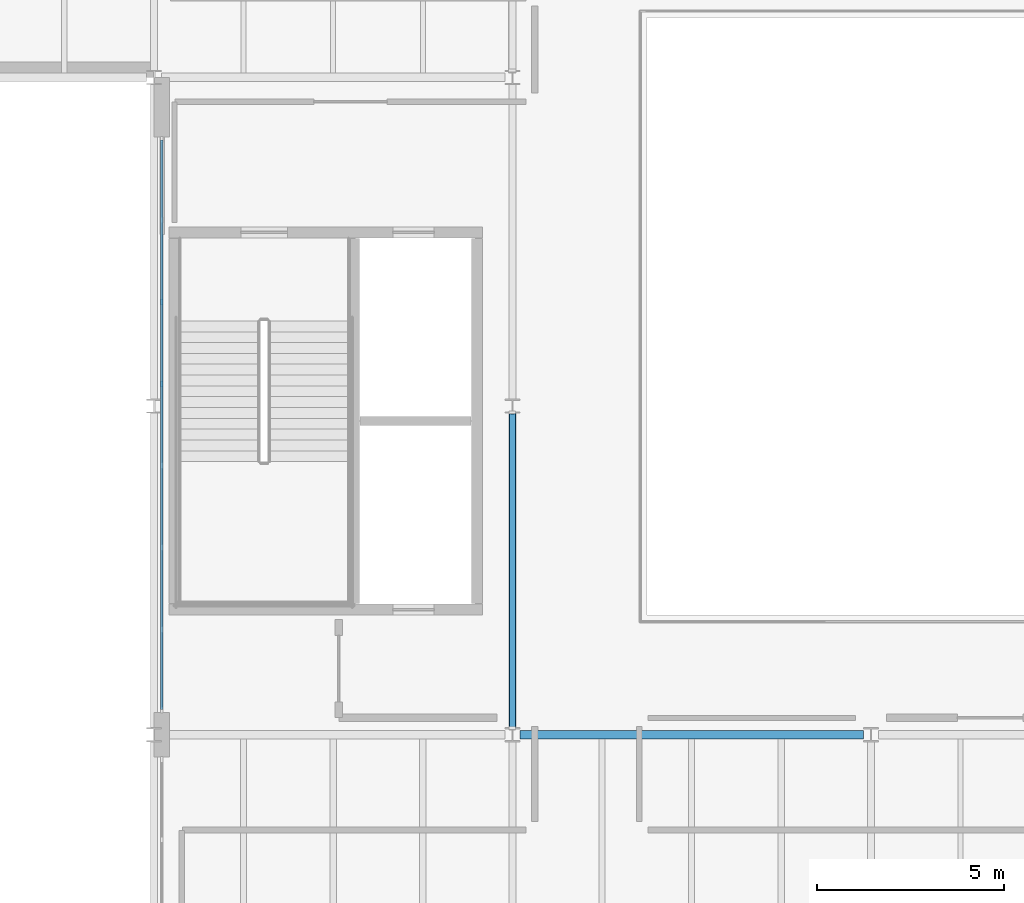
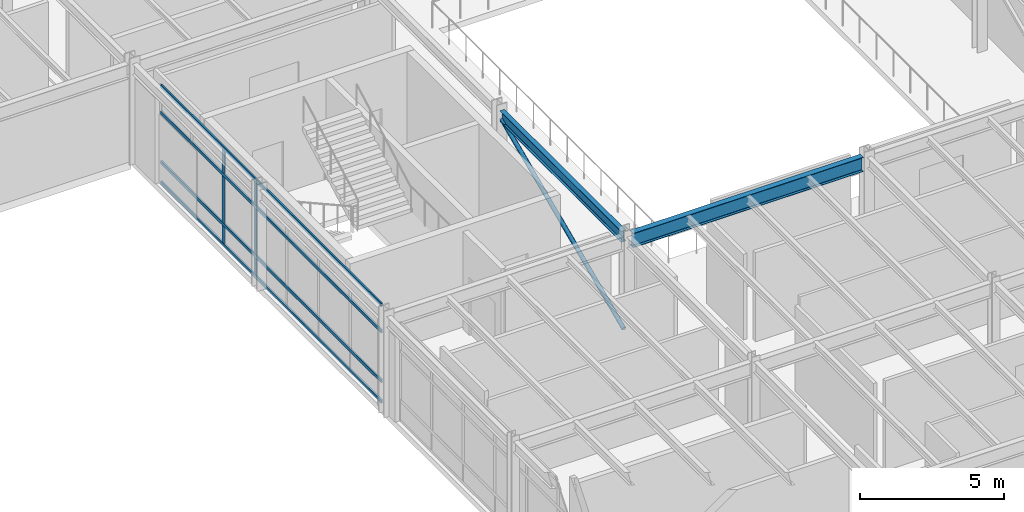
# One storey, part 26 of 88: 7 members, 2 beams, 1 element without a shape of its own.
"""IFC4 building model written with IfcOpenShell, lengths in metres."""

import ifcopenshell
import ifcopenshell.guid

model = None  # the IFC model being written
_history = None  # IfcOwnerHistory: only IFC2X3 demands one
_inside = {}  # id of a spatial element -> (the spatial element, [elements in it])
_under = {}  # id of a project, library or spatial element -> (it, [spatial elements below it])
_declared = {}  # id of a project -> (the project, [libraries it declares])
_typed = {}  # id of a type object -> (the type object, [elements of that type])
_made_of = {}  # id of a material, layer set ... -> (it, [elements and type objects made of it])


def new_model(schema):
    """Start an empty IFC model of exactly this schema.

    Asked for "IFC4X3", IfcOpenShell would pick the latest addendum, in which some entities
    have other attributes; the version numbers below select the first issue.
    IFC2X3 requires an IfcOwnerHistory on every rooted entity: one is made here for all.
    """
    global model, _history
    if schema == "IFC4X3":
        model = ifcopenshell.file(schema_version=(4, 3, 0, 0))
    else:
        model = ifcopenshell.file(schema=schema)
    _inside.clear()
    _under.clear()
    _declared.clear()
    _typed.clear()
    _made_of.clear()
    _history = None
    if model.schema == "IFC2X3":
        org = make("IfcOrganization", Name="unknown")
        user = make(
            "IfcPersonAndOrganization",
            ThePerson=make("IfcPerson", FamilyName="unknown"),
            TheOrganization=org,
        )
        app = make(
            "IfcApplication",
            ApplicationDeveloper=org,
            Version="unknown",
            ApplicationFullName="unknown",
            ApplicationIdentifier="unknown",
        )
        _history = make(
            "IfcOwnerHistory",
            OwningUser=user,
            OwningApplication=app,
            ChangeAction="ADDED",
            CreationDate=0,
        )
    return model


def make(cls, **values):
    """One entity of the class cls with the attributes given. An attribute that is None is left unset."""
    return model.create_entity(
        cls, **{name: value for name, value in values.items() if value is not None}
    )


def rooted(cls, **values):
    """An entity with a GlobalId (a new one), such as an element, a storey or a relation."""
    return make(cls, GlobalId=ifcopenshell.guid.new(), OwnerHistory=_history, **values)


def si_unit(unit_type, name, prefix=None):
    """IfcSIUnit, for example si_unit("LENGTHUNIT", "METRE", prefix="MILLI")."""
    return make("IfcSIUnit", UnitType=unit_type, Prefix=prefix, Name=name)


def assignment(units):
    """IfcUnitAssignment: the units of a project."""
    return None if units is None else make("IfcUnitAssignment", Units=units)


def point(xyz):
    """IfcCartesianPoint."""
    return None if xyz is None else make("IfcCartesianPoint", Coordinates=xyz)


def direction(xyz):
    """IfcDirection."""
    return None if xyz is None else make("IfcDirection", DirectionRatios=xyz)


def frame(location, z_axis=None, x_axis=None):
    """IfcAxis2Placement3D, a coordinate frame: its origin and axes. An axis left out is left unset."""
    return make(
        "IfcAxis2Placement3D",
        Location=point(location),
        Axis=direction(z_axis),
        RefDirection=direction(x_axis),
    )


def frame_2d(location, x_axis=None):
    """IfcAxis2Placement2D, a coordinate frame in the plane: its origin and x axis."""
    return make(
        "IfcAxis2Placement2D", Location=point(location), RefDirection=direction(x_axis)
    )


def origin():
    """The frame at (0, 0, 0) with its axes left unset."""
    return frame((0.0, 0.0, 0.0))


def origin_2d():
    """The frame at (0, 0) in the plane with its x axis left unset."""
    return frame_2d((0.0, 0.0))


def place(relative_to, where):
    """IfcLocalPlacement: puts the frame where relative to a parent placement (None: the world)."""
    return make(
        "IfcLocalPlacement", PlacementRelTo=relative_to, RelativePlacement=where
    )


def context(
    kind, dimensions, precision=None, world=None, true_north=None, identifier=None
):
    """IfcGeometricRepresentationContext, for example the 3D "Model" context."""
    return make(
        "IfcGeometricRepresentationContext",
        ContextIdentifier=identifier,
        ContextType=kind,
        CoordinateSpaceDimension=dimensions,
        Precision=precision,
        WorldCoordinateSystem=world,
        TrueNorth=true_north,
    )


def subcontext(parent, identifier, kind, view, scale=None):
    """IfcGeometricRepresentationSubContext, for example "Body" below "Model"."""
    return make(
        "IfcGeometricRepresentationSubContext",
        ContextIdentifier=identifier,
        ContextType=kind,
        ParentContext=parent,
        TargetScale=scale,
        TargetView=view,
    )


def project(units=None, contexts=None):
    """IfcProject with its units and contexts."""
    return rooted(
        "IfcProject",
        Name="project",
        RepresentationContexts=contexts,
        UnitsInContext=assignment(units),
    )


def spatial(cls, under=None, at=None, **own):
    """A site, building, storey or space (cls), placed at a placement, below another one or the project."""
    s = rooted(cls, ObjectPlacement=at, **own)
    if under is not None:
        _under.setdefault(under.id(), (under, []))[1].append(s)
    return s


def profile(cls, at=None, kind="AREA", **sizes):
    """A parametric profile (cls). Its sizes go by their IFC names, for example OverallWidth=200.0."""
    return make(cls, ProfileType=kind, Position=at, **sizes)


def rectangle(**sizes):
    """IfcRectangleProfileDef."""
    return profile("IfcRectangleProfileDef", **sizes)


def hollow_circle(**sizes):
    """IfcCircleHollowProfileDef."""
    return profile("IfcCircleHollowProfileDef", **sizes)


def i_section(**sizes):
    """IfcIShapeProfileDef."""
    return profile("IfcIShapeProfileDef", **sizes)


def extrude(swept, where, along, depth):
    """IfcExtrudedAreaSolid: the profile swept, set in the frame where, extruded along a direction by depth."""
    return make(
        "IfcExtrudedAreaSolid",
        SweptArea=swept,
        Position=where,
        ExtrudedDirection=direction(along),
        Depth=depth,
    )


def shape(context_of_items, identifier, shape_type, items):
    """IfcShapeRepresentation: the items that make up one representation, for example the "Body"."""
    return make(
        "IfcShapeRepresentation",
        ContextOfItems=context_of_items,
        RepresentationIdentifier=identifier,
        RepresentationType=shape_type,
        Items=items,
    )


def material(Name=None, Category=None):
    """IfcMaterial."""
    return make("IfcMaterial", Name=Name, Category=Category)


def material_profile(
    of_material, cross_section, Name=None, Category=None, Priority=None
):
    """IfcMaterialProfile: a cross section and its material."""
    return make(
        "IfcMaterialProfile",
        Name=Name,
        Material=of_material,
        Profile=cross_section,
        Priority=Priority,
        Category=Category,
    )


def profile_set(profiles, Name=None, composite=None):
    """IfcMaterialProfileSet."""
    return make(
        "IfcMaterialProfileSet",
        Name=Name,
        MaterialProfiles=profiles,
        CompositeProfile=composite,
    )


def made_of(thing, what):
    """Note that an element or type object is made of a material, layer set ...; save() writes the relation."""
    if what is not None:
        _made_of.setdefault(what.id(), (what, []))[1].append(thing)
    return thing


def type_object(cls, material=None, **own):
    """A type object (cls), such as IfcWallType, which elements share."""
    return made_of(rooted(cls, **own), material)


def element(
    cls,
    number,
    at=None,
    inside=None,
    cuts=None,
    type_object=None,
    material=None,
    context=None,
    identifier="Body",
    shape_type=None,
    held_by="IfcProductDefinitionShape",
    body=None,
    shapes=None,
    **own,
):
    """One element of the class cls, such as IfcWall. Its Tag is "e" and its number.

    at: its placement. inside: the storey or other place that contains it. cuts: it is an
    opening in that element (IfcRelVoidsElement). A single representation is given by context,
    identifier, shape_type and body (its items); several are given by shapes. held_by: the class
    of the entity that holds the representations. save() writes the other relations.
    """
    e = rooted(cls, Tag="e%d" % number, ObjectPlacement=at, **own)
    if body is not None:
        shapes = [shape(context, identifier, shape_type, body)]
    if shapes is not None:
        e.Representation = make(held_by, Representations=shapes)
    if inside is not None:
        _inside.setdefault(inside.id(), (inside, []))[1].append(e)
    if cuts is not None:
        rooted(
            "IfcRelVoidsElement", RelatingBuildingElement=cuts, RelatedOpeningElement=e
        )
    if type_object is not None:
        _typed.setdefault(type_object.id(), (type_object, []))[1].append(e)
    return made_of(e, material)


def aggregate(whole, parts):
    """IfcRelAggregates: a whole, such as a stair, and the parts it consists of."""
    return rooted("IfcRelAggregates", RelatingObject=whole, RelatedObjects=parts)


def save(model, path):
    """Write the relations noted so far, then the file.

    IfcRelAggregates (storeys below a building ...), IfcRelContainedInSpatialStructure (elements
    in a storey), IfcRelDefinesByType, IfcRelAssociatesMaterial and IfcRelDeclares: one each for
    every whole, place, type object, material and project.
    """
    for whole, parts in _under.values():
        aggregate(whole, parts)
    for where, things in _inside.values():
        rooted(
            "IfcRelContainedInSpatialStructure",
            RelatedElements=things,
            RelatingStructure=where,
        )
    for kind, things in _typed.values():
        rooted("IfcRelDefinesByType", RelatedObjects=things, RelatingType=kind)
    for what, things in _made_of.values():
        rooted("IfcRelAssociatesMaterial", RelatedObjects=things, RelatingMaterial=what)
    for by, libraries in _declared.values():
        rooted("IfcRelDeclares", RelatingContext=by, RelatedDefinitions=libraries)
    model.write(path)


model = new_model("IFC4")

# Units and contexts
model_context = context("Model", 3, precision=1e-05, world=origin(), true_north=direction((0.0, 1.0)))
body_context = subcontext(model_context, "Body", "Model", "MODEL_VIEW")
ifc_project = project(units=[si_unit("LENGTHUNIT", "METRE"), si_unit("AREAUNIT", "SQUARE_METRE"), si_unit("VOLUMEUNIT", "CUBIC_METRE"), si_unit("PLANEANGLEUNIT", "RADIAN"), si_unit("MASSUNIT", "GRAM", prefix="KILO")], contexts=[model_context])

# Site, building, storey
site_placement = place(None, origin())
site = spatial("IfcSite", under=ifc_project, at=site_placement, CompositionType="ELEMENT")
building_placement = place(site_placement, origin())
building = spatial("IfcBuilding", under=site, at=building_placement, Name="Sarnbrook Museum", CompositionType="ELEMENT")
storey_placement = place(building_placement, frame((0.0, 0.0, 10.10009765625)))
storey = spatial("IfcBuildingStorey", under=building, at=storey_placement, Name="L02", CompositionType="ELEMENT", Elevation=10.10009765625)

# Beams
ifc_material_1 = material(Name="Structural Steel Grade 300PLUS (AS/NZS 3679.1, fy = 280 MPa for 17 < t <= 40 mm, 300 MPa for t <= 17 mm)", Category="steel")
ifc_material_profile_1 = material_profile(ifc_material_1, i_section(OverallWidth=0.18994140625, OverallDepth=0.45703125, WebThickness=0.009033203125, FlangeThickness=0.014404296875, FilletRadius=0.011474609375, at=origin_2d()), Name="460UB74.6")
ifc_profile_set_1 = profile_set([ifc_material_profile_1], Name="Structural Steel Grade 300PLUS (AS/NZS 3679.1, fy = 280 MPa for 17 < t <= 40 mm, 300 MPa for t <= 17 mm)")
beam_type_1 = type_object("IfcBeamType", Name="BM-UB460", PredefinedType="BEAM", material=ifc_profile_set_1)
beam_1_placement = place(storey_placement, frame((90.39990234375, 56.990966796875, 4.021484375), z_axis=(0.0, 1.0, 0.0), x_axis=(-1.0, 0.0, 0.0)))
element("IfcBeam", 1, at=beam_1_placement, inside=storey, type_object=beam_type_1, Name="Girder 10:G-H L02", PredefinedType="BEAM", context=body_context, shape_type="SweptSolid", body=[
    extrude(i_section(OverallWidth=0.18994140625, OverallDepth=0.45703125, WebThickness=0.009033203125, FlangeThickness=0.014404296875, FilletRadius=0.011474609375, at=origin_2d()), origin(), (0.0, 0.0, 1.0), 8.41796875),
])
ifc_material_profile_2 = material_profile(ifc_material_1, i_section(OverallWidth=0.22802734375, OverallDepth=0.60693359375, WebThickness=0.01123046875, FlangeThickness=0.017333984375, FilletRadius=0.013916015625, at=origin_2d()), Name="610UB113")
ifc_profile_set_2 = profile_set([ifc_material_profile_2], Name="Structural Steel Grade 300PLUS (AS/NZS 3679.1, fy = 280 MPa for 17 < t <= 40 mm, 300 MPa for t <= 17 mm)")
beam_type_2 = type_object("IfcBeamType", Name="BM-UB610", PredefinedType="BEAM", material=ifc_profile_set_2)
beam_2_placement = place(storey_placement, frame((90.60009765625, 56.800048828125, 3.9462890625), z_axis=(1.0, 0.0, 0.0), x_axis=(0.0, 1.0, 0.0)))
element("IfcBeam", 2, at=beam_2_placement, inside=storey, type_object=beam_type_2, Name="Girder G:10-11 L02", PredefinedType="BEAM", context=body_context, shape_type="SweptSolid", body=[
    extrude(i_section(OverallWidth=0.22802734375, OverallDepth=0.60693359375, WebThickness=0.01123046875, FlangeThickness=0.017333984375, FilletRadius=0.013916015625, at=origin_2d()), origin(), (0.0, 0.0, 1.0), 9.199951171875),
])

# Curtain wall, members
ifc_material_2 = material(Name="Thermally Broken Anodised Aluminium 6063-T6", Category="aluminium")
curtain_wall_type = type_object("IfcCurtainWallType", Name="CurtainWall_GalleryRibbon", PredefinedType="NOTDEFINED", material=ifc_material_2)
curtain_wall_placement = place(storey_placement, origin())
curtain_wall = element("IfcCurtainWall", 3, at=curtain_wall_placement, inside=storey, type_object=curtain_wall_type, Name="Gallery Ribbon Curtain Wall L02-14.1", PredefinedType="NOTDEFINED")
ifc_material_profile_3 = material_profile(ifc_material_2, rectangle(XDim=0.06005859375, YDim=0.159912109375, at=origin_2d()), Name="ALU MULLION 60x160")
ifc_profile_set_3 = profile_set([ifc_material_profile_3], Name="Thermally Broken Anodised Aluminium 6063-T6")
member_type_1 = type_object("IfcMemberType", Name="CW_Mullion_150x65", PredefinedType="MULLION", material=ifc_profile_set_3)
member_1_placement = place(storey_placement, frame((81.010009765625, 68.391357421875, 0.0), z_axis=(0.0, 0.0, 1.0), x_axis=(1.0, 0.0, 0.0)))
member_1 = element("IfcMember", 4, at=member_1_placement, type_object=member_type_1, Name="Gallery Ribbon Curtain Wall L02-14.1 Mullion 3", PredefinedType="MULLION", context=body_context, shape_type="SweptSolid", body=[
    extrude(rectangle(XDim=0.06005859375, YDim=0.159912109375, at=origin_2d()), origin(), (0.0, 0.0, 1.0), 4.159912109375),
])
member_2_placement = place(storey_placement, frame((81.010009765625, 66.197021484375, 0.0), z_axis=(0.0, 0.0, 1.0), x_axis=(1.0, 0.0, 0.0)))
member_2 = element("IfcMember", 5, at=member_2_placement, type_object=member_type_1, Name="Gallery Ribbon Curtain Wall L02-14.1 Mullion 4", PredefinedType="MULLION", context=body_context, shape_type="SweptSolid", body=[
    extrude(rectangle(XDim=0.06005859375, YDim=0.159912109375, at=origin_2d()), origin(), (0.0, 0.0, 1.0), 4.159912109375),
])
ifc_material_profile_4 = material_profile(ifc_material_2, rectangle(XDim=0.06494140625, YDim=0.139892578125, at=origin_2d()), Name="ALU TRANSOM 65x140")
ifc_profile_set_4 = profile_set([ifc_material_profile_4], Name="Thermally Broken Anodised Aluminium 6063-T6")
member_type_2 = type_object("IfcMemberType", Name="CW_Transom_150x65", PredefinedType="USERDEFINED", material=ifc_profile_set_4)
member_3_placement = place(storey_placement, frame((81.010009765625, 72.72998046875, 0.039794921875), z_axis=(0.0, -1.0, 0.0), x_axis=(1.0, 0.0, 0.0)))
member_3 = element("IfcMember", 6, at=member_3_placement, type_object=member_type_2, Name="Gallery Ribbon Curtain Wall L02-14.1 Transom 1", ObjectType="TRANSOM", PredefinedType="USERDEFINED", context=body_context, shape_type="SweptSolid", body=[
    extrude(rectangle(XDim=0.06494140625, YDim=0.139892578125, at=origin_2d()), origin(), (0.0, 0.0, 1.0), 15.260009765625),
])
member_4_placement = place(storey_placement, frame((81.010009765625, 72.72998046875, 0.89990234375), z_axis=(0.0, -1.0, 0.0), x_axis=(1.0, 0.0, 0.0)))
member_4 = element("IfcMember", 7, at=member_4_placement, type_object=member_type_2, Name="Gallery Ribbon Curtain Wall L02-14.1 Transom 2", ObjectType="TRANSOM", PredefinedType="USERDEFINED", context=body_context, shape_type="SweptSolid", body=[
    extrude(rectangle(XDim=0.06494140625, YDim=0.139892578125, at=origin_2d()), origin(), (0.0, 0.0, 1.0), 15.260009765625),
])
member_5_placement = place(storey_placement, frame((81.010009765625, 72.72998046875, 3.0), z_axis=(0.0, -1.0, 0.0), x_axis=(1.0, 0.0, 0.0)))
member_5 = element("IfcMember", 8, at=member_5_placement, type_object=member_type_2, Name="Gallery Ribbon Curtain Wall L02-14.1 Transom 3", ObjectType="TRANSOM", PredefinedType="USERDEFINED", context=body_context, shape_type="SweptSolid", body=[
    extrude(rectangle(XDim=0.06494140625, YDim=0.139892578125, at=origin_2d()), origin(), (0.0, 0.0, 1.0), 15.260009765625),
])
member_6_placement = place(storey_placement, frame((81.010009765625, 72.72998046875, 4.119873046875), z_axis=(0.0, -1.0, 0.0), x_axis=(1.0, 0.0, 0.0)))
member_6 = element("IfcMember", 9, at=member_6_placement, type_object=member_type_2, Name="Gallery Ribbon Curtain Wall L02-14.1 Transom 4", ObjectType="TRANSOM", PredefinedType="USERDEFINED", context=body_context, shape_type="SweptSolid", body=[
    extrude(rectangle(XDim=0.06494140625, YDim=0.139892578125, at=origin_2d()), origin(), (0.0, 0.0, 1.0), 15.260009765625),
])
aggregate(curtain_wall, [member_1, member_2, member_3, member_4, member_5, member_6])

# Member
ifc_material_3 = material(Name="Structural Steel Hollow Section Grade C350L0 (AS/NZS 1163, fy = 350 MPa)", Category="steel")
ifc_material_profile_5 = material_profile(ifc_material_3, hollow_circle(Radius=0.084228515625, WallThickness=0.007080078125, at=origin_2d()), Name="168.3x7.1CHS")
ifc_profile_set_5 = profile_set([ifc_material_profile_5], Name="Structural Steel Hollow Section Grade C350L0 (AS/NZS 1163, fy = 350 MPa)")
member_type_3 = type_object("IfcMemberType", Name="MB-CHS168", PredefinedType="BRACE", material=ifc_profile_set_5)
member_7_placement = place(storey_placement, frame((90.39990234375, 56.97998046875, 0.119873046875), z_axis=(0.0, 0.914658395799, 0.404227682124), x_axis=(-1.0, 0.0, 0.0)))
element("IfcMember", 10, at=member_7_placement, inside=storey, type_object=member_type_3, Name="Lateral Diagonal Brace CBF-1 L02", PredefinedType="BRACE", context=body_context, shape_type="SweptSolid", body=[
    extrude(hollow_circle(Radius=0.084228515625, WallThickness=0.007080078125, at=origin_2d()), origin(), (0.0, 0.0, 1.0), 9.2275390625),
])

save(model, "model.ifc")
